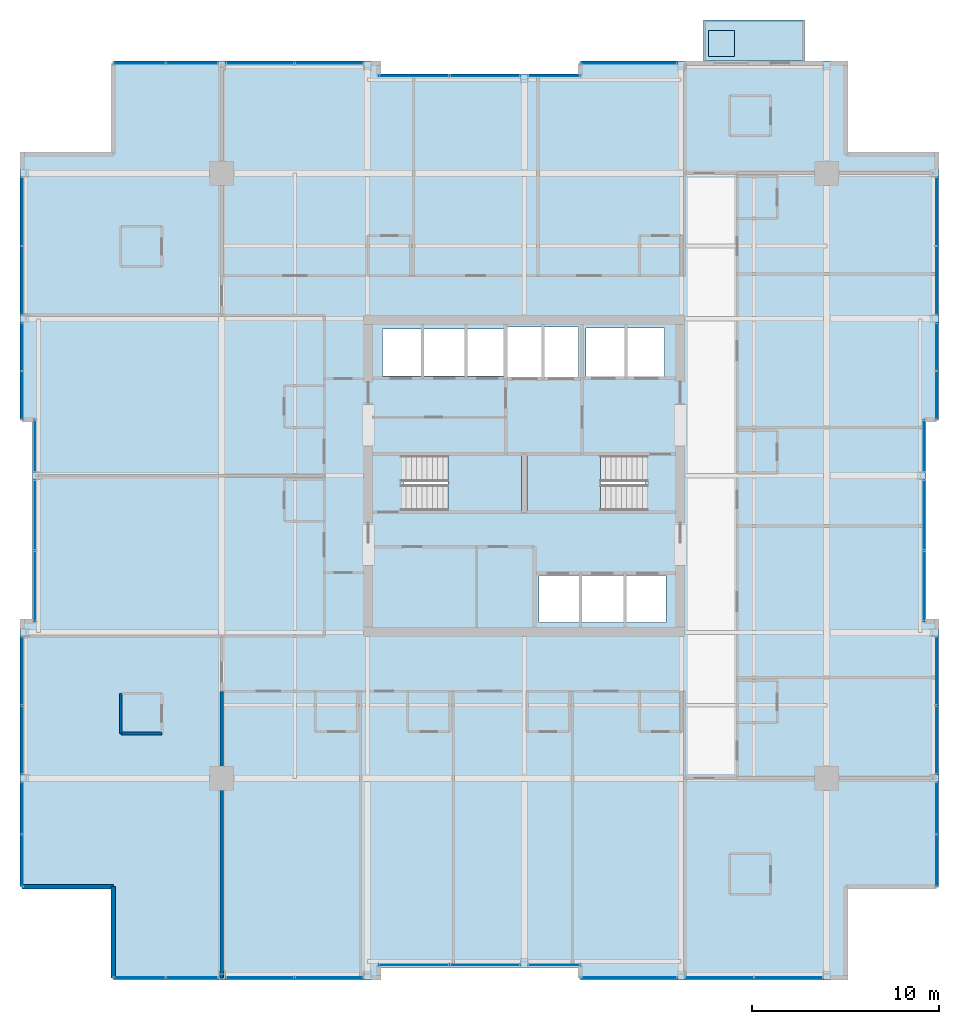
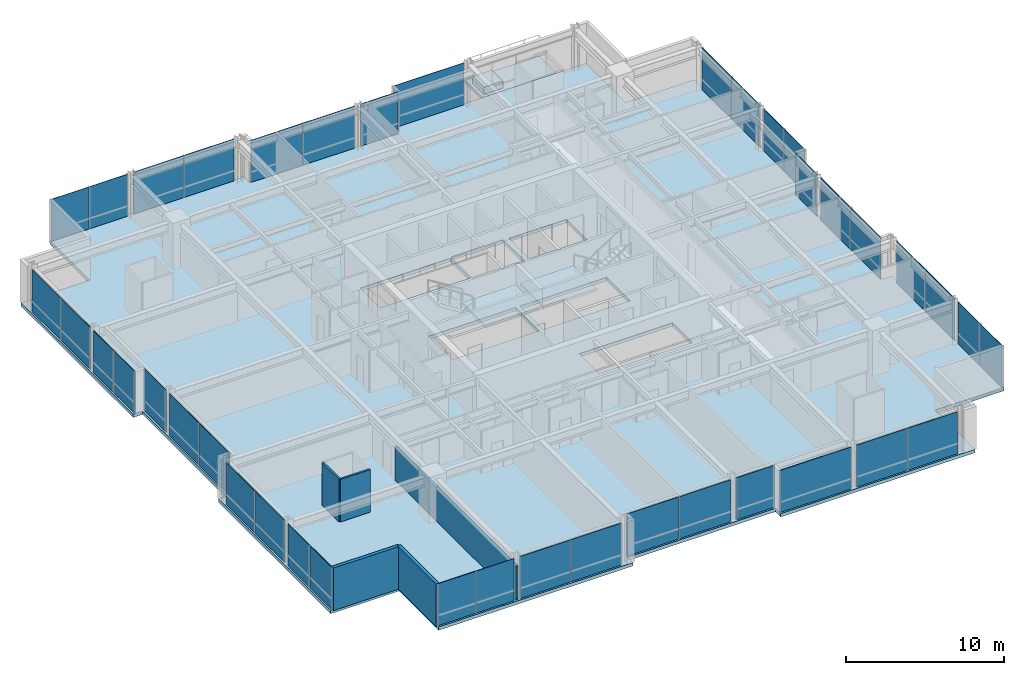
# One storey, part 26 of 33: 40 plates, 5 slabs, 5 walls, 25 elements without a shape of their own.
"""IFC4 building model written with IfcOpenShell, lengths in metres."""

from ifc_helpers import new_model, si_unit, direction, frame, frame_2d, origin, origin_2d, place, context, subcontext, project, spatial, polyline, rectangle, outline, extrude, material, layer, layer_set, type_object, element, aggregate, save


model = new_model("IFC4")

# Units and contexts
model_context = context("Model", 3, precision=1e-05, world=origin(), true_north=direction((0.0, 1.0)))
body_context = subcontext(model_context, "Body", "Model", "MODEL_VIEW")
ifc_project = project(units=[si_unit("LENGTHUNIT", "METRE"), si_unit("AREAUNIT", "SQUARE_METRE"), si_unit("VOLUMEUNIT", "CUBIC_METRE"), si_unit("PLANEANGLEUNIT", "RADIAN"), si_unit("MASSUNIT", "GRAM", prefix="KILO")], contexts=[model_context])

# Site, building, storey
site_placement = place(None, origin())
site = spatial("IfcSite", under=ifc_project, at=site_placement, CompositionType="ELEMENT")
building_placement = place(site_placement, origin())
building = spatial("IfcBuilding", under=site, at=building_placement, Name="Drelvath Grand Hotel", CompositionType="ELEMENT")
storey_placement = place(building_placement, frame((0.0, 0.0, 171.699951171875)))
storey = spatial("IfcBuildingStorey", under=building, at=storey_placement, Name="L44", CompositionType="ELEMENT", Elevation=171.699951171875)

# Slabs
ifc_material_1 = material(Name="Concrete f'c 40 MPa", Category="concrete")
ifc_layer_1 = layer(ifc_material_1, 0.239990234375)
ifc_layer_set_1 = layer_set([ifc_layer_1], Name="Concrete f'c 40 MPa")
slab_type_1 = type_object("IfcSlabType", Name="Cantilevered Tree Balcony Slab 240", PredefinedType="FLOOR", material=ifc_layer_set_1)
slab_1_placement = place(storey_placement, frame((0.0, 0.0, -0.239990234375)))
element("IfcSlab", 1, at=slab_1_placement, inside=storey, type_object=slab_type_1, Name="L44 Cantilevered Tree Balcony Slab 1", PredefinedType="FLOOR", context=body_context, shape_type="SweptSolid", body=[
    extrude(outline(polyline([(9.60009765625, 49.199951171875), (15.0, 49.199951171875), (15.0, 51.39990234375), (9.60009765625, 51.39990234375), (9.60009765625, 49.199951171875)])), origin(), (0.0, 0.0, 1.0), 0.239990234375),
])
ifc_layer_2 = layer(ifc_material_1, 0.260009765625)
ifc_layer_set_2 = layer_set([ifc_layer_2], Name="Concrete f'c 40 MPa")
slab_type_2 = type_object("IfcSlabType", Name="Composite RC Floor Slab 260", PredefinedType="FLOOR", material=ifc_layer_set_2)
slab_2_placement = place(storey_placement, frame((0.0, 0.0, -0.260009765625)))
element("IfcSlab", 2, at=slab_2_placement, inside=storey, type_object=slab_type_2, Name="L44 Structural Floor Slab", PredefinedType="FLOOR", context=body_context, shape_type="SweptSolid", body=[
    extrude(outline(polyline([(-22.0, 0.0), (-7.800048828125, 0.0), (-7.800048828125, 0.679931640625), (3.0, 0.679931640625), (3.0, 0.0), (17.199951171875, 0.0), (17.199951171875, 5.0), (22.199951171875, 5.0), (22.199951171875, 19.199951171875), (21.52001953125, 19.199951171875), (21.52001953125, 30.0), (22.199951171875, 30.0), (22.199951171875, 44.199951171875), (17.199951171875, 44.199951171875), (17.199951171875, 49.199951171875), (3.0, 49.199951171875), (3.0, 48.52001953125), (-7.800048828125, 48.52001953125), (-7.800048828125, 49.199951171875), (-22.0, 49.199951171875), (-22.0, 44.199951171875), (-27.0, 44.199951171875), (-27.0, 30.0), (-26.320068359375, 30.0), (-26.320068359375, 19.199951171875), (-27.0, 19.199951171875), (-27.0, 5.0), (-22.0, 5.0), (-22.0, 0.0)]), holes=[polyline([(-6.47998046875, 25.1201171875), (-6.47998046875, 28.080078125), (-0.14990234375, 28.080078125), (-0.14990234375, 25.1201171875), (-6.47998046875, 25.1201171875)]), polyline([(0.14990234375, 25.1201171875), (0.14990234375, 28.080078125), (6.47998046875, 28.080078125), (6.47998046875, 25.1201171875), (0.14990234375, 25.1201171875)]), polyline([(0.800048828125, 19.14990234375), (0.800048828125, 21.64990234375), (7.60009765625, 21.64990234375), (7.60009765625, 19.14990234375), (0.800048828125, 19.14990234375)]), polyline([(-7.60009765625, 32.35009765625), (-7.60009765625, 34.85009765625), (-1.02001953125, 34.85009765625), (-1.02001953125, 32.35009765625), (-7.60009765625, 32.35009765625)]), polyline([(-0.89990234375, 32.25), (-0.89990234375, 34.949951171875), (2.89990234375, 34.949951171875), (2.89990234375, 32.25), (-0.89990234375, 32.25)]), polyline([(3.300048828125, 32.300048828125), (3.300048828125, 34.89990234375), (7.5, 34.89990234375), (7.5, 32.300048828125), (3.300048828125, 32.300048828125)])]), origin(), (0.0, 0.0, 1.0), 0.260009765625),
])

# Stair, slab
ifc_material_2 = material(Name="Concrete C40/50", Category="concrete")
stair_type = type_object("IfcStairType", Name="Dogleg Exit Stair W1400-R177.5", PredefinedType="HALF_TURN_STAIR", material=ifc_material_2)
stair_1_placement = place(storey_placement, origin())
stair_1 = element("IfcStair", 3, at=stair_1_placement, inside=storey, type_object=stair_type, Name="L44 Core Exit Stair ST-1", PredefinedType="HALF_TURN_STAIR")
ifc_layer_3 = layer(ifc_material_2, 0.199951171875)
ifc_layer_set_3 = layer_set([ifc_layer_3], Name="Concrete C40/50")
slab_type_3 = type_object("IfcSlabType", Name="Concrete Stair Landing Slab 200", PredefinedType="LANDING", material=ifc_layer_set_3)
slab_3_placement = place(storey_placement, frame((0.0, 0.0, 1.574951171875)))
slab_3 = element("IfcSlab", 4, at=slab_3_placement, type_object=slab_type_3, Name="ST-1 landing 1", PredefinedType="LANDING", context=body_context, shape_type="SweptSolid", body=[
    extrude(outline(polyline([(-4.080078125, 25.1201171875), (-0.14990234375, 25.1201171875), (-0.14990234375, 28.080078125), (-4.080078125, 28.080078125), (-4.080078125, 25.1201171875)])), origin(), (0.0, 0.0, 1.0), 0.2001953125),
])
aggregate(stair_1, [slab_3])

stair_2_placement = place(storey_placement, origin())
stair_2 = element("IfcStair", 5, at=stair_2_placement, inside=storey, type_object=stair_type, Name="L44 Core Exit Stair ST-2", PredefinedType="HALF_TURN_STAIR")
slab_4_placement = place(storey_placement, frame((0.0, 0.0, 1.574951171875)))
slab_4 = element("IfcSlab", 6, at=slab_4_placement, type_object=slab_type_3, Name="ST-2 landing 1", PredefinedType="LANDING", context=body_context, shape_type="SweptSolid", body=[
    extrude(outline(polyline([(4.080078125, 28.080078125), (0.14990234375, 28.080078125), (0.14990234375, 25.1201171875), (4.080078125, 25.1201171875), (4.080078125, 28.080078125)])), origin(), (0.0, 0.0, 1.0), 0.2001953125),
])
aggregate(stair_2, [slab_4])

# Curtain wall, plates
ifc_material_3 = material(Name="Brushed Pale-Silver Anodised Aluminium Frame", Category="aluminium")
ifc_layer_4 = layer(ifc_material_3, 0.199951171875)
ifc_layer_set_4 = layer_set([ifc_layer_4], Name="Brushed Pale-Silver Anodised Aluminium Frame")
curtain_wall_type = type_object("IfcCurtainWallType", Name="Stick Curtain Wall CW-04 Brushed Silver Upper-Mid", PredefinedType="NOTDEFINED", material=ifc_layer_set_4)
curtain_wall_1_placement = place(storey_placement, origin())
curtain_wall_1 = element("IfcCurtainWall", 7, at=curtain_wall_1_placement, inside=storey, type_object=curtain_wall_type, Name="L44 CW-04 Curtain Wall CW04-L44-WS1", PredefinedType="NOTDEFINED")
ifc_material_4 = material(Name="Low-E Triple Silver Vision Glass Cool", Category="glass")
ifc_layer_5 = layer(ifc_material_4, 0.035888671875)
ifc_layer_set_5 = layer_set([ifc_layer_5], Name="Low-E Triple Silver Vision Glass Cool")
plate_type = type_object("IfcPlateType", Name="Curtain Wall Vision Panel CW-04 36mm", PredefinedType="CURTAIN_PANEL", material=ifc_layer_set_5)
plate_1_placement = place(storey_placement, frame((-26.8798828125, 6.39990234375, 0.02001953125), z_axis=(0.0, 0.0, 1.0), x_axis=(0.0, 1.0, 0.0)))
plate_1 = element("IfcPlate", 8, at=plate_1_placement, type_object=plate_type, Name="CW04-L44-WS1 Glazed Panel 1", PredefinedType="CURTAIN_PANEL", context=body_context, shape_type="SweptSolid", body=[
    extrude(rectangle(XDim=2.760009765625, YDim=0.035888671875, at=origin_2d()), origin(), (0.0, 0.0, 1.0), 3.25),
])
plate_2_placement = place(storey_placement, frame((-26.8798828125, 9.199951171875, 0.02001953125), z_axis=(0.0, 0.0, 1.0), x_axis=(0.0, 1.0, 0.0)))
plate_2 = element("IfcPlate", 9, at=plate_2_placement, type_object=plate_type, Name="CW04-L44-WS1 Glazed Panel 2", PredefinedType="CURTAIN_PANEL", context=body_context, shape_type="SweptSolid", body=[
    extrude(rectangle(XDim=2.760009765625, YDim=0.035888671875, at=origin_2d()), origin(), (0.0, 0.0, 1.0), 3.25),
])
aggregate(curtain_wall_1, [plate_1, plate_2])

curtain_wall_2_placement = place(storey_placement, origin())
curtain_wall_2 = element("IfcCurtainWall", 10, at=curtain_wall_2_placement, inside=storey, type_object=curtain_wall_type, Name="L44 CW-04 Curtain Wall CW04-L44-WS2", PredefinedType="NOTDEFINED")
plate_3_placement = place(storey_placement, frame((-26.8798828125, 12.85009765625, 0.02001953125), z_axis=(0.0, 0.0, 1.0), x_axis=(0.0, 1.0, 0.0)))
plate_3 = element("IfcPlate", 11, at=plate_3_placement, type_object=plate_type, Name="CW04-L44-WS2 Glazed Panel 1", PredefinedType="CURTAIN_PANEL", context=body_context, shape_type="SweptSolid", body=[
    extrude(rectangle(XDim=3.659912109375, YDim=0.035888671875, at=origin_2d()), origin(), (0.0, 0.0, 1.0), 3.25),
])
plate_4_placement = place(storey_placement, frame((-26.8798828125, 16.550048828125, 0.02001953125), z_axis=(0.0, 0.0, 1.0), x_axis=(0.0, 1.0, 0.0)))
plate_4 = element("IfcPlate", 12, at=plate_4_placement, type_object=plate_type, Name="CW04-L44-WS2 Glazed Panel 2", PredefinedType="CURTAIN_PANEL", context=body_context, shape_type="SweptSolid", body=[
    extrude(rectangle(XDim=3.659912109375, YDim=0.035888671875, at=origin_2d()), origin(), (0.0, 0.0, 1.0), 3.25),
])
aggregate(curtain_wall_2, [plate_3, plate_4])

curtain_wall_3_placement = place(storey_placement, origin())
curtain_wall_3 = element("IfcCurtainWall", 13, at=curtain_wall_3_placement, inside=storey, type_object=curtain_wall_type, Name="L44 CW-04 Curtain Wall CW04-L44-WM1", PredefinedType="NOTDEFINED")
plate_5_placement = place(storey_placement, frame((-26.199951171875, 21.099853515625, 0.02001953125), z_axis=(0.0, 0.0, 1.0), x_axis=(0.0, 1.0, 0.0)))
plate_5 = element("IfcPlate", 14, at=plate_5_placement, type_object=plate_type, Name="CW04-L44-WM1 Glazed Panel 1", PredefinedType="CURTAIN_PANEL", context=body_context, shape_type="SweptSolid", body=[
    extrude(rectangle(XDim=3.760009765625, YDim=0.035888671875, at=origin_2d()), origin(), (0.0, 0.0, 1.0), 3.25),
])
plate_6_placement = place(storey_placement, frame((-26.199951171875, 24.89990234375, 0.02001953125), z_axis=(0.0, 0.0, 1.0), x_axis=(0.0, 1.0, 0.0)))
plate_6 = element("IfcPlate", 15, at=plate_6_placement, type_object=plate_type, Name="CW04-L44-WM1 Glazed Panel 2", PredefinedType="CURTAIN_PANEL", context=body_context, shape_type="SweptSolid", body=[
    extrude(rectangle(XDim=3.760009765625, YDim=0.035888671875, at=origin_2d()), origin(), (0.0, 0.0, 1.0), 3.25),
])
aggregate(curtain_wall_3, [plate_5, plate_6])

# Curtain wall, plate
curtain_wall_4_placement = place(storey_placement, origin())
curtain_wall_4 = element("IfcCurtainWall", 16, at=curtain_wall_4_placement, inside=storey, type_object=curtain_wall_type, Name="L44 CW-04 Curtain Wall CW04-L44-WM2", PredefinedType="NOTDEFINED")
plate_7_placement = place(storey_placement, frame((-26.199951171875, 28.60009765625, 0.02001953125), z_axis=(0.0, 0.0, 1.0), x_axis=(0.0, 1.0, 0.0)))
plate_7 = element("IfcPlate", 17, at=plate_7_placement, type_object=plate_type, Name="CW04-L44-WM2 Glazed Panel 1", PredefinedType="CURTAIN_PANEL", context=body_context, shape_type="SweptSolid", body=[
    extrude(rectangle(XDim=2.760009765625, YDim=0.035888671875, at=origin_2d()), origin(), (0.0, 0.0, 1.0), 3.25),
])
aggregate(curtain_wall_4, [plate_7])

# Curtain wall, plates
curtain_wall_5_placement = place(storey_placement, origin())
curtain_wall_5 = element("IfcCurtainWall", 18, at=curtain_wall_5_placement, inside=storey, type_object=curtain_wall_type, Name="L44 CW-04 Curtain Wall CW04-L44-WN1", PredefinedType="NOTDEFINED")
plate_8_placement = place(storey_placement, frame((-26.8798828125, 31.300048828125, 0.02001953125), z_axis=(0.0, 0.0, 1.0), x_axis=(0.0, 1.0, 0.0)))
plate_8 = element("IfcPlate", 19, at=plate_8_placement, type_object=plate_type, Name="CW04-L44-WN1 Glazed Panel 1", PredefinedType="CURTAIN_PANEL", context=body_context, shape_type="SweptSolid", body=[
    extrude(rectangle(XDim=2.56005859375, YDim=0.035888671875, at=origin_2d()), origin(), (0.0, 0.0, 1.0), 3.25),
])
plate_9_placement = place(storey_placement, frame((-26.8798828125, 33.89990234375, 0.02001953125), z_axis=(0.0, 0.0, 1.0), x_axis=(0.0, 1.0, 0.0)))
plate_9 = element("IfcPlate", 20, at=plate_9_placement, type_object=plate_type, Name="CW04-L44-WN1 Glazed Panel 2", PredefinedType="CURTAIN_PANEL", context=body_context, shape_type="SweptSolid", body=[
    extrude(rectangle(XDim=2.56005859375, YDim=0.035888671875, at=origin_2d()), origin(), (0.0, 0.0, 1.0), 3.25),
])
aggregate(curtain_wall_5, [plate_8, plate_9])

curtain_wall_6_placement = place(storey_placement, origin())
curtain_wall_6 = element("IfcCurtainWall", 21, at=curtain_wall_6_placement, inside=storey, type_object=curtain_wall_type, Name="L44 CW-04 Curtain Wall CW04-L44-WN2", PredefinedType="NOTDEFINED")
plate_10_placement = place(storey_placement, frame((-26.8798828125, 37.449951171875, 0.02001953125), z_axis=(0.0, 0.0, 1.0), x_axis=(0.0, 1.0, 0.0)))
plate_10 = element("IfcPlate", 22, at=plate_10_placement, type_object=plate_type, Name="CW04-L44-WN2 Glazed Panel 1", PredefinedType="CURTAIN_PANEL", context=body_context, shape_type="SweptSolid", body=[
    extrude(rectangle(XDim=3.659912109375, YDim=0.035888671875, at=origin_2d()), origin(), (0.0, 0.0, 1.0), 3.25),
])
plate_11_placement = place(storey_placement, frame((-26.8798828125, 41.14990234375, 0.02001953125), z_axis=(0.0, 0.0, 1.0), x_axis=(0.0, 1.0, 0.0)))
plate_11 = element("IfcPlate", 23, at=plate_11_placement, type_object=plate_type, Name="CW04-L44-WN2 Glazed Panel 2", PredefinedType="CURTAIN_PANEL", context=body_context, shape_type="SweptSolid", body=[
    extrude(rectangle(XDim=3.659912109375, YDim=0.035888671875, at=origin_2d()), origin(), (0.0, 0.0, 1.0), 3.25),
])
aggregate(curtain_wall_6, [plate_10, plate_11])

curtain_wall_7_placement = place(storey_placement, origin())
curtain_wall_7 = element("IfcCurtainWall", 24, at=curtain_wall_7_placement, inside=storey, type_object=curtain_wall_type, Name="L44 CW-04 Curtain Wall CW04-L44-EN1", PredefinedType="NOTDEFINED")
plate_12_placement = place(storey_placement, frame((22.080078125, 33.89990234375, 0.02001953125), z_axis=(0.0, 0.0, 1.0), x_axis=(0.0, -1.0, 0.0)))
plate_12 = element("IfcPlate", 25, at=plate_12_placement, type_object=plate_type, Name="CW04-L44-EN1 Glazed Panel 1", PredefinedType="CURTAIN_PANEL", context=body_context, shape_type="SweptSolid", body=[
    extrude(rectangle(XDim=2.56005859375, YDim=0.035888671875, at=origin_2d()), origin(), (0.0, 0.0, 1.0), 3.25),
])
plate_13_placement = place(storey_placement, frame((22.080078125, 31.300048828125, 0.02001953125), z_axis=(0.0, 0.0, 1.0), x_axis=(0.0, -1.0, 0.0)))
plate_13 = element("IfcPlate", 26, at=plate_13_placement, type_object=plate_type, Name="CW04-L44-EN1 Glazed Panel 2", PredefinedType="CURTAIN_PANEL", context=body_context, shape_type="SweptSolid", body=[
    extrude(rectangle(XDim=2.56005859375, YDim=0.035888671875, at=origin_2d()), origin(), (0.0, 0.0, 1.0), 3.25),
])
aggregate(curtain_wall_7, [plate_12, plate_13])

curtain_wall_8_placement = place(storey_placement, origin())
curtain_wall_8 = element("IfcCurtainWall", 27, at=curtain_wall_8_placement, inside=storey, type_object=curtain_wall_type, Name="L44 CW-04 Curtain Wall CW04-L44-EN2", PredefinedType="NOTDEFINED")
plate_14_placement = place(storey_placement, frame((22.080078125, 41.14990234375, 0.02001953125), z_axis=(0.0, 0.0, 1.0), x_axis=(0.0, -1.0, 0.0)))
plate_14 = element("IfcPlate", 28, at=plate_14_placement, type_object=plate_type, Name="CW04-L44-EN2 Glazed Panel 1", PredefinedType="CURTAIN_PANEL", context=body_context, shape_type="SweptSolid", body=[
    extrude(rectangle(XDim=3.659912109375, YDim=0.035888671875, at=origin_2d()), origin(), (0.0, 0.0, 1.0), 3.25),
])
plate_15_placement = place(storey_placement, frame((22.080078125, 37.449951171875, 0.02001953125), z_axis=(0.0, 0.0, 1.0), x_axis=(0.0, -1.0, 0.0)))
plate_15 = element("IfcPlate", 29, at=plate_15_placement, type_object=plate_type, Name="CW04-L44-EN2 Glazed Panel 2", PredefinedType="CURTAIN_PANEL", context=body_context, shape_type="SweptSolid", body=[
    extrude(rectangle(XDim=3.659912109375, YDim=0.035888671875, at=origin_2d()), origin(), (0.0, 0.0, 1.0), 3.25),
])
aggregate(curtain_wall_8, [plate_14, plate_15])

curtain_wall_9_placement = place(storey_placement, origin())
curtain_wall_9 = element("IfcCurtainWall", 30, at=curtain_wall_9_placement, inside=storey, type_object=curtain_wall_type, Name="L44 CW-04 Curtain Wall CW04-L44-EM1", PredefinedType="NOTDEFINED")
plate_16_placement = place(storey_placement, frame((21.39990234375, 24.89990234375, 0.02001953125), z_axis=(0.0, 0.0, 1.0), x_axis=(0.0, -1.0, 0.0)))
plate_16 = element("IfcPlate", 31, at=plate_16_placement, type_object=plate_type, Name="CW04-L44-EM1 Glazed Panel 1", PredefinedType="CURTAIN_PANEL", context=body_context, shape_type="SweptSolid", body=[
    extrude(rectangle(XDim=3.760009765625, YDim=0.035888671875, at=origin_2d()), origin(), (0.0, 0.0, 1.0), 3.25),
])
plate_17_placement = place(storey_placement, frame((21.39990234375, 21.099853515625, 0.02001953125), z_axis=(0.0, 0.0, 1.0), x_axis=(0.0, -1.0, 0.0)))
plate_17 = element("IfcPlate", 32, at=plate_17_placement, type_object=plate_type, Name="CW04-L44-EM1 Glazed Panel 2", PredefinedType="CURTAIN_PANEL", context=body_context, shape_type="SweptSolid", body=[
    extrude(rectangle(XDim=3.760009765625, YDim=0.035888671875, at=origin_2d()), origin(), (0.0, 0.0, 1.0), 3.25),
])
aggregate(curtain_wall_9, [plate_16, plate_17])

# Curtain wall, plate
curtain_wall_10_placement = place(storey_placement, origin())
curtain_wall_10 = element("IfcCurtainWall", 33, at=curtain_wall_10_placement, inside=storey, type_object=curtain_wall_type, Name="L44 CW-04 Curtain Wall CW04-L44-EM2", PredefinedType="NOTDEFINED")
plate_18_placement = place(storey_placement, frame((21.39990234375, 28.60009765625, 0.02001953125), z_axis=(0.0, 0.0, 1.0), x_axis=(0.0, -1.0, 0.0)))
plate_18 = element("IfcPlate", 34, at=plate_18_placement, type_object=plate_type, Name="CW04-L44-EM2 Glazed Panel 1", PredefinedType="CURTAIN_PANEL", context=body_context, shape_type="SweptSolid", body=[
    extrude(rectangle(XDim=2.760009765625, YDim=0.035888671875, at=origin_2d()), origin(), (0.0, 0.0, 1.0), 3.25),
])
aggregate(curtain_wall_10, [plate_18])

# Curtain wall, plates
curtain_wall_11_placement = place(storey_placement, origin())
curtain_wall_11 = element("IfcCurtainWall", 35, at=curtain_wall_11_placement, inside=storey, type_object=curtain_wall_type, Name="L44 CW-04 Curtain Wall CW04-L44-ES1", PredefinedType="NOTDEFINED")
plate_19_placement = place(storey_placement, frame((22.080078125, 9.199951171875, 0.02001953125), z_axis=(0.0, 0.0, 1.0), x_axis=(0.0, -1.0, 0.0)))
plate_19 = element("IfcPlate", 36, at=plate_19_placement, type_object=plate_type, Name="CW04-L44-ES1 Glazed Panel 1", PredefinedType="CURTAIN_PANEL", context=body_context, shape_type="SweptSolid", body=[
    extrude(rectangle(XDim=2.760009765625, YDim=0.035888671875, at=origin_2d()), origin(), (0.0, 0.0, 1.0), 3.25),
])
plate_20_placement = place(storey_placement, frame((22.080078125, 6.39990234375, 0.02001953125), z_axis=(0.0, 0.0, 1.0), x_axis=(0.0, -1.0, 0.0)))
plate_20 = element("IfcPlate", 37, at=plate_20_placement, type_object=plate_type, Name="CW04-L44-ES1 Glazed Panel 2", PredefinedType="CURTAIN_PANEL", context=body_context, shape_type="SweptSolid", body=[
    extrude(rectangle(XDim=2.760009765625, YDim=0.035888671875, at=origin_2d()), origin(), (0.0, 0.0, 1.0), 3.25),
])
aggregate(curtain_wall_11, [plate_19, plate_20])

curtain_wall_12_placement = place(storey_placement, origin())
curtain_wall_12 = element("IfcCurtainWall", 38, at=curtain_wall_12_placement, inside=storey, type_object=curtain_wall_type, Name="L44 CW-04 Curtain Wall CW04-L44-ES2", PredefinedType="NOTDEFINED")
plate_21_placement = place(storey_placement, frame((22.080078125, 16.550048828125, 0.02001953125), z_axis=(0.0, 0.0, 1.0), x_axis=(0.0, -1.0, 0.0)))
plate_21 = element("IfcPlate", 39, at=plate_21_placement, type_object=plate_type, Name="CW04-L44-ES2 Glazed Panel 1", PredefinedType="CURTAIN_PANEL", context=body_context, shape_type="SweptSolid", body=[
    extrude(rectangle(XDim=3.659912109375, YDim=0.035888671875, at=origin_2d()), origin(), (0.0, 0.0, 1.0), 3.25),
])
plate_22_placement = place(storey_placement, frame((22.080078125, 12.85009765625, 0.02001953125), z_axis=(0.0, 0.0, 1.0), x_axis=(0.0, -1.0, 0.0)))
plate_22 = element("IfcPlate", 40, at=plate_22_placement, type_object=plate_type, Name="CW04-L44-ES2 Glazed Panel 2", PredefinedType="CURTAIN_PANEL", context=body_context, shape_type="SweptSolid", body=[
    extrude(rectangle(XDim=3.659912109375, YDim=0.035888671875, at=origin_2d()), origin(), (0.0, 0.0, 1.0), 3.25),
])
aggregate(curtain_wall_12, [plate_21, plate_22])

curtain_wall_13_placement = place(storey_placement, origin())
curtain_wall_13 = element("IfcCurtainWall", 41, at=curtain_wall_13_placement, inside=storey, type_object=curtain_wall_type, Name="L44 CW-04 Curtain Wall CW04-L44-NW1", PredefinedType="NOTDEFINED")
plate_23_placement = place(storey_placement, frame((-20.60009765625, 49.080078125, 0.02001953125), z_axis=(0.0, 0.0, 1.0), x_axis=(1.0, 0.0, 0.0)))
plate_23 = element("IfcPlate", 42, at=plate_23_placement, type_object=plate_type, Name="CW04-L44-NW1 Glazed Panel 1", PredefinedType="CURTAIN_PANEL", context=body_context, shape_type="SweptSolid", body=[
    extrude(rectangle(XDim=2.760009765625, YDim=0.035888671875, at=origin_2d()), origin(), (0.0, 0.0, 1.0), 3.25),
])
plate_24_placement = place(storey_placement, frame((-17.800048828125, 49.080078125, 0.02001953125), z_axis=(0.0, 0.0, 1.0), x_axis=(1.0, 0.0, 0.0)))
plate_24 = element("IfcPlate", 43, at=plate_24_placement, type_object=plate_type, Name="CW04-L44-NW1 Glazed Panel 2", PredefinedType="CURTAIN_PANEL", context=body_context, shape_type="SweptSolid", body=[
    extrude(rectangle(XDim=2.760009765625, YDim=0.035888671875, at=origin_2d()), origin(), (0.0, 0.0, 1.0), 3.25),
])
aggregate(curtain_wall_13, [plate_23, plate_24])

curtain_wall_14_placement = place(storey_placement, origin())
curtain_wall_14 = element("IfcCurtainWall", 44, at=curtain_wall_14_placement, inside=storey, type_object=curtain_wall_type, Name="L44 CW-04 Curtain Wall CW04-L44-NW2", PredefinedType="NOTDEFINED")
plate_25_placement = place(storey_placement, frame((-14.14990234375, 49.080078125, 0.02001953125), z_axis=(0.0, 0.0, 1.0), x_axis=(1.0, 0.0, 0.0)))
plate_25 = element("IfcPlate", 45, at=plate_25_placement, type_object=plate_type, Name="CW04-L44-NW2 Glazed Panel 1", PredefinedType="CURTAIN_PANEL", context=body_context, shape_type="SweptSolid", body=[
    extrude(rectangle(XDim=3.659912109375, YDim=0.035888671875, at=origin_2d()), origin(), (0.0, 0.0, 1.0), 3.25),
])
plate_26_placement = place(storey_placement, frame((-10.4501953125, 49.080078125, 0.02001953125), z_axis=(0.0, 0.0, 1.0), x_axis=(1.0, 0.0, 0.0)))
plate_26 = element("IfcPlate", 46, at=plate_26_placement, type_object=plate_type, Name="CW04-L44-NW2 Glazed Panel 2", PredefinedType="CURTAIN_PANEL", context=body_context, shape_type="SweptSolid", body=[
    extrude(rectangle(XDim=3.659912109375, YDim=0.035888671875, at=origin_2d()), origin(), (0.0, 0.0, 1.0), 3.25),
])
aggregate(curtain_wall_14, [plate_25, plate_26])

curtain_wall_15_placement = place(storey_placement, origin())
curtain_wall_15 = element("IfcCurtainWall", 47, at=curtain_wall_15_placement, inside=storey, type_object=curtain_wall_type, Name="L44 CW-04 Curtain Wall CW04-L44-NM1", PredefinedType="NOTDEFINED")
plate_27_placement = place(storey_placement, frame((-5.89990234375, 48.39990234375, 0.02001953125), z_axis=(0.0, 0.0, 1.0), x_axis=(1.0, 0.0, 0.0)))
plate_27 = element("IfcPlate", 48, at=plate_27_placement, type_object=plate_type, Name="CW04-L44-NM1 Glazed Panel 1", PredefinedType="CURTAIN_PANEL", context=body_context, shape_type="SweptSolid", body=[
    extrude(rectangle(XDim=3.760009765625, YDim=0.035888671875, at=origin_2d()), origin(), (0.0, 0.0, 1.0), 3.25),
])
plate_28_placement = place(storey_placement, frame((-2.10009765625, 48.39990234375, 0.02001953125), z_axis=(0.0, 0.0, 1.0), x_axis=(1.0, 0.0, 0.0)))
plate_28 = element("IfcPlate", 49, at=plate_28_placement, type_object=plate_type, Name="CW04-L44-NM1 Glazed Panel 2", PredefinedType="CURTAIN_PANEL", context=body_context, shape_type="SweptSolid", body=[
    extrude(rectangle(XDim=3.760009765625, YDim=0.035888671875, at=origin_2d()), origin(), (0.0, 0.0, 1.0), 3.25),
])
aggregate(curtain_wall_15, [plate_27, plate_28])

# Curtain wall, plate
curtain_wall_16_placement = place(storey_placement, origin())
curtain_wall_16 = element("IfcCurtainWall", 50, at=curtain_wall_16_placement, inside=storey, type_object=curtain_wall_type, Name="L44 CW-04 Curtain Wall CW04-L44-NM2", PredefinedType="NOTDEFINED")
plate_29_placement = place(storey_placement, frame((1.60009765625, 48.39990234375, 0.02001953125), z_axis=(0.0, 0.0, 1.0), x_axis=(1.0, 0.0, 0.0)))
plate_29 = element("IfcPlate", 51, at=plate_29_placement, type_object=plate_type, Name="CW04-L44-NM2 Glazed Panel 1", PredefinedType="CURTAIN_PANEL", context=body_context, shape_type="SweptSolid", body=[
    extrude(rectangle(XDim=2.760009765625, YDim=0.035888671875, at=origin_2d()), origin(), (0.0, 0.0, 1.0), 3.25),
])
aggregate(curtain_wall_16, [plate_29])

curtain_wall_17_placement = place(storey_placement, origin())
curtain_wall_17 = element("IfcCurtainWall", 52, at=curtain_wall_17_placement, inside=storey, type_object=curtain_wall_type, Name="L44 CW-04 Curtain Wall CW04-L44-NE1", PredefinedType="NOTDEFINED")
plate_30_placement = place(storey_placement, frame((5.599853515625, 49.080078125, 0.02001953125), z_axis=(0.0, 0.0, 1.0), x_axis=(1.0, 0.0, 0.0)))
plate_30 = element("IfcPlate", 53, at=plate_30_placement, type_object=plate_type, Name="CW04-L44-NE1 Glazed Panel 1", PredefinedType="CURTAIN_PANEL", context=body_context, shape_type="SweptSolid", body=[
    extrude(rectangle(XDim=5.159912109375, YDim=0.035888671875, at=origin_2d()), origin(), (0.0, 0.0, 1.0), 3.25),
])
aggregate(curtain_wall_17, [plate_30])

curtain_wall_18_placement = place(storey_placement, origin())
curtain_wall_18 = element("IfcCurtainWall", 54, at=curtain_wall_18_placement, inside=storey, type_object=curtain_wall_type, Name="L44 CW-04 Curtain Wall CW04-L44-SE1", PredefinedType="NOTDEFINED")
plate_31_placement = place(storey_placement, frame((5.599853515625, 0.1201171875, 0.02001953125), z_axis=(0.0, 0.0, 1.0), x_axis=(-1.0, 0.0, 0.0)))
plate_31 = element("IfcPlate", 55, at=plate_31_placement, type_object=plate_type, Name="CW04-L44-SE1 Glazed Panel 1", PredefinedType="CURTAIN_PANEL", context=body_context, shape_type="SweptSolid", body=[
    extrude(rectangle(XDim=5.159912109375, YDim=0.035888671875, at=origin_2d()), origin(), (0.0, 0.0, 1.0), 3.25),
])
aggregate(curtain_wall_18, [plate_31])

# Curtain wall, plates
curtain_wall_19_placement = place(storey_placement, origin())
curtain_wall_19 = element("IfcCurtainWall", 56, at=curtain_wall_19_placement, inside=storey, type_object=curtain_wall_type, Name="L44 CW-04 Curtain Wall CW04-L44-SE2", PredefinedType="NOTDEFINED")
plate_32_placement = place(storey_placement, frame((14.14990234375, 0.1201171875, 0.02001953125), z_axis=(0.0, 0.0, 1.0), x_axis=(-1.0, 0.0, 0.0)))
plate_32 = element("IfcPlate", 57, at=plate_32_placement, type_object=plate_type, Name="CW04-L44-SE2 Glazed Panel 1", PredefinedType="CURTAIN_PANEL", context=body_context, shape_type="SweptSolid", body=[
    extrude(rectangle(XDim=3.659912109375, YDim=0.035888671875, at=origin_2d()), origin(), (0.0, 0.0, 1.0), 3.25),
])
plate_33_placement = place(storey_placement, frame((10.4501953125, 0.1201171875, 0.02001953125), z_axis=(0.0, 0.0, 1.0), x_axis=(-1.0, 0.0, 0.0)))
plate_33 = element("IfcPlate", 58, at=plate_33_placement, type_object=plate_type, Name="CW04-L44-SE2 Glazed Panel 2", PredefinedType="CURTAIN_PANEL", context=body_context, shape_type="SweptSolid", body=[
    extrude(rectangle(XDim=3.659912109375, YDim=0.035888671875, at=origin_2d()), origin(), (0.0, 0.0, 1.0), 3.25),
])
aggregate(curtain_wall_19, [plate_32, plate_33])

curtain_wall_20_placement = place(storey_placement, origin())
curtain_wall_20 = element("IfcCurtainWall", 59, at=curtain_wall_20_placement, inside=storey, type_object=curtain_wall_type, Name="L44 CW-04 Curtain Wall CW04-L44-SM1", PredefinedType="NOTDEFINED")
plate_34_placement = place(storey_placement, frame((-2.10009765625, 0.800048828125, 0.02001953125), z_axis=(0.0, 0.0, 1.0), x_axis=(-1.0, 0.0, 0.0)))
plate_34 = element("IfcPlate", 60, at=plate_34_placement, type_object=plate_type, Name="CW04-L44-SM1 Glazed Panel 1", PredefinedType="CURTAIN_PANEL", context=body_context, shape_type="SweptSolid", body=[
    extrude(rectangle(XDim=3.760009765625, YDim=0.035888671875, at=origin_2d()), origin(), (0.0, 0.0, 1.0), 3.25),
])
plate_35_placement = place(storey_placement, frame((-5.89990234375, 0.800048828125, 0.02001953125), z_axis=(0.0, 0.0, 1.0), x_axis=(-1.0, 0.0, 0.0)))
plate_35 = element("IfcPlate", 61, at=plate_35_placement, type_object=plate_type, Name="CW04-L44-SM1 Glazed Panel 2", PredefinedType="CURTAIN_PANEL", context=body_context, shape_type="SweptSolid", body=[
    extrude(rectangle(XDim=3.760009765625, YDim=0.035888671875, at=origin_2d()), origin(), (0.0, 0.0, 1.0), 3.25),
])
aggregate(curtain_wall_20, [plate_34, plate_35])

# Curtain wall, plate
curtain_wall_21_placement = place(storey_placement, origin())
curtain_wall_21 = element("IfcCurtainWall", 62, at=curtain_wall_21_placement, inside=storey, type_object=curtain_wall_type, Name="L44 CW-04 Curtain Wall CW04-L44-SM2", PredefinedType="NOTDEFINED")
plate_36_placement = place(storey_placement, frame((1.60009765625, 0.800048828125, 0.02001953125), z_axis=(0.0, 0.0, 1.0), x_axis=(-1.0, 0.0, 0.0)))
plate_36 = element("IfcPlate", 63, at=plate_36_placement, type_object=plate_type, Name="CW04-L44-SM2 Glazed Panel 1", PredefinedType="CURTAIN_PANEL", context=body_context, shape_type="SweptSolid", body=[
    extrude(rectangle(XDim=2.760009765625, YDim=0.035888671875, at=origin_2d()), origin(), (0.0, 0.0, 1.0), 3.25),
])
aggregate(curtain_wall_21, [plate_36])

# Curtain wall, plates
curtain_wall_22_placement = place(storey_placement, origin())
curtain_wall_22 = element("IfcCurtainWall", 64, at=curtain_wall_22_placement, inside=storey, type_object=curtain_wall_type, Name="L44 CW-04 Curtain Wall CW04-L44-SW1", PredefinedType="NOTDEFINED")
plate_37_placement = place(storey_placement, frame((-17.800048828125, 0.1201171875, 0.02001953125), z_axis=(0.0, 0.0, 1.0), x_axis=(-1.0, 0.0, 0.0)))
plate_37 = element("IfcPlate", 65, at=plate_37_placement, type_object=plate_type, Name="CW04-L44-SW1 Glazed Panel 1", PredefinedType="CURTAIN_PANEL", context=body_context, shape_type="SweptSolid", body=[
    extrude(rectangle(XDim=2.760009765625, YDim=0.035888671875, at=origin_2d()), origin(), (0.0, 0.0, 1.0), 3.25),
])
plate_38_placement = place(storey_placement, frame((-20.60009765625, 0.1201171875, 0.02001953125), z_axis=(0.0, 0.0, 1.0), x_axis=(-1.0, 0.0, 0.0)))
plate_38 = element("IfcPlate", 66, at=plate_38_placement, type_object=plate_type, Name="CW04-L44-SW1 Glazed Panel 2", PredefinedType="CURTAIN_PANEL", context=body_context, shape_type="SweptSolid", body=[
    extrude(rectangle(XDim=2.760009765625, YDim=0.035888671875, at=origin_2d()), origin(), (0.0, 0.0, 1.0), 3.25),
])
aggregate(curtain_wall_22, [plate_37, plate_38])

curtain_wall_23_placement = place(storey_placement, origin())
curtain_wall_23 = element("IfcCurtainWall", 67, at=curtain_wall_23_placement, inside=storey, type_object=curtain_wall_type, Name="L44 CW-04 Curtain Wall CW04-L44-SW2", PredefinedType="NOTDEFINED")
plate_39_placement = place(storey_placement, frame((-10.4501953125, 0.1201171875, 0.02001953125), z_axis=(0.0, 0.0, 1.0), x_axis=(-1.0, 0.0, 0.0)))
plate_39 = element("IfcPlate", 68, at=plate_39_placement, type_object=plate_type, Name="CW04-L44-SW2 Glazed Panel 1", PredefinedType="CURTAIN_PANEL", context=body_context, shape_type="SweptSolid", body=[
    extrude(rectangle(XDim=3.659912109375, YDim=0.035888671875, at=origin_2d()), origin(), (0.0, 0.0, 1.0), 3.25),
])
plate_40_placement = place(storey_placement, frame((-14.14990234375, 0.1201171875, 0.02001953125), z_axis=(0.0, 0.0, 1.0), x_axis=(-1.0, 0.0, 0.0)))
plate_40 = element("IfcPlate", 69, at=plate_40_placement, type_object=plate_type, Name="CW04-L44-SW2 Glazed Panel 2", PredefinedType="CURTAIN_PANEL", context=body_context, shape_type="SweptSolid", body=[
    extrude(rectangle(XDim=3.659912109375, YDim=0.035888671875, at=origin_2d()), origin(), (0.0, 0.0, 1.0), 3.25),
])
aggregate(curtain_wall_23, [plate_39, plate_40])

# Slab
ifc_layer_6 = layer(ifc_material_1, 0.550048828125)
ifc_layer_set_6 = layer_set([ifc_layer_6], Name="Concrete f'c 40 MPa")
slab_type_4 = type_object("IfcSlabType", Name="Structural Tree Planter Box 550", PredefinedType="USERDEFINED", material=ifc_layer_set_6)
slab_5_placement = place(storey_placement, origin())
element("IfcSlab", 70, at=slab_5_placement, inside=storey, type_object=slab_type_4, Name="L44 Tree Balcony Structural Planter 1", ObjectType="PLANTER", PredefinedType="USERDEFINED", context=body_context, shape_type="SweptSolid", body=[
    extrude(outline(polyline([(9.85009765625, 49.449951171875), (11.25, 49.449951171875), (11.25, 50.85009765625), (9.85009765625, 50.85009765625), (9.85009765625, 49.449951171875)])), origin(), (0.0, 0.0, 1.0), 0.550048828125),
])

# Walls
ifc_material_5 = material(Name="Moisture-Resistant Gypsum Board")
ifc_layer_7 = layer(ifc_material_5, 0.139892578125)
ifc_layer_set_7 = layer_set([ifc_layer_7], Name="Moisture-Resistant Gypsum Board")
wall_type_1 = type_object("IfcWallType", Name="En-Suite Plumbing Wall 140", PredefinedType="PLUMBINGWALL", material=ifc_layer_set_7)
wall_1_placement = place(storey_placement, frame((-21.60009765625, 13.199951171875, 0.0), z_axis=(0.0, 0.0, 1.0), x_axis=(1.0, 0.0, 0.0)))
element("IfcWall", 71, at=wall_1_placement, inside=storey, type_object=wall_type_1, Name="L44 Corner En-Suite South", PredefinedType="PLUMBINGWALL", context=body_context, shape_type="SweptSolid", body=[
    extrude(rectangle(XDim=2.2001953125, YDim=0.139892578125, at=frame_2d((1.10009765625, 0.0))), origin(), (0.0, 0.0, 1.0), 3.2900390625),
])
wall_2_placement = place(storey_placement, frame((-21.60009765625, 13.199951171875, 0.0), z_axis=(0.0, 0.0, 1.0), x_axis=(0.0, 1.0, 0.0)))
element("IfcWall", 72, at=wall_2_placement, inside=storey, type_object=wall_type_1, Name="L44 Corner En-Suite West", PredefinedType="PLUMBINGWALL", context=body_context, shape_type="SweptSolid", body=[
    extrude(rectangle(XDim=2.150146484375, YDim=0.139892578125, at=frame_2d((1.0751953125, 0.0))), origin(), (0.0, 0.0, 1.0), 3.2900390625),
])
ifc_material_6 = material(Name="Gypsum Acoustic Partition")
ifc_layer_8 = layer(ifc_material_6, 0.1650390625)
ifc_layer_set_8 = layer_set([ifc_layer_8], Name="Gypsum Acoustic Partition")
wall_type_2 = type_object("IfcWallType", Name="Suite Demising Wall 165", PredefinedType="PARTITIONING", material=ifc_layer_set_8)
wall_3_placement = place(storey_placement, frame((-16.199951171875, 0.1201171875, 0.0), z_axis=(0.0, 0.0, 1.0), x_axis=(0.0, 1.0, 0.0)))
element("IfcWall", 73, at=wall_3_placement, inside=storey, type_object=wall_type_2, Name="L44 SW Suite East Wall", PredefinedType="PARTITIONING", context=body_context, shape_type="SweptSolid", body=[
    extrude(rectangle(XDim=15.329833984375, YDim=0.1650390625, at=frame_2d((7.6650390625, 0.0))), origin(), (0.0, 0.0, 1.0), 2.57958984375),
])
ifc_material_7 = material(Name="Pale-Metal Insulated Aluminium Spandrel Assembly", Category="aluminium")
ifc_layer_9 = layer(ifc_material_7, 0.239990234375)
ifc_layer_set_9 = layer_set([ifc_layer_9], Name="Pale-Metal Insulated Aluminium Spandrel Assembly")
wall_type_3 = type_object("IfcWallType", Name="Tower Insulated Metal Spandrel Closure Wall 240", PredefinedType="STANDARD", material=ifc_layer_set_9)
for number, where, z_axis, x_axis, name in (
    (74, (-22.0, 0.1201171875, 0.0), (0.0, 0.0, 1.0), (0.0, 1.0, 0.0), "L44 Notched Corner Return Spandrel Wall CSW1"),
    (75, (-22.0, 5.0, 0.0), (0.0, 0.0, 1.0), (-1.0, 0.0, 0.0), "L44 Notched Corner Return Spandrel Wall CSW2"),
):
    element("IfcWall", number, at=place(storey_placement, frame(where, z_axis=z_axis, x_axis=x_axis)), inside=storey, type_object=wall_type_3, Name=name, PredefinedType="STANDARD", context=body_context, shape_type="SweptSolid", body=[
        extrude(rectangle(XDim=4.8798828125, YDim=0.239990234375, at=frame_2d((2.43994140625, 0.0))), origin(), (0.0, 0.0, 1.0), 3.2900390625),
    ])

save(model, "model.ifc")
